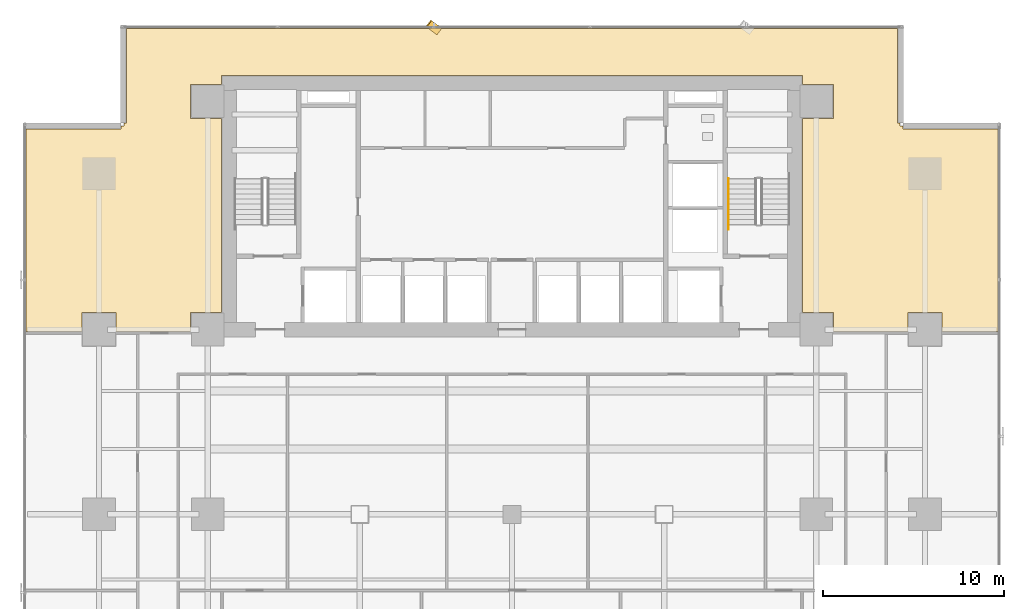
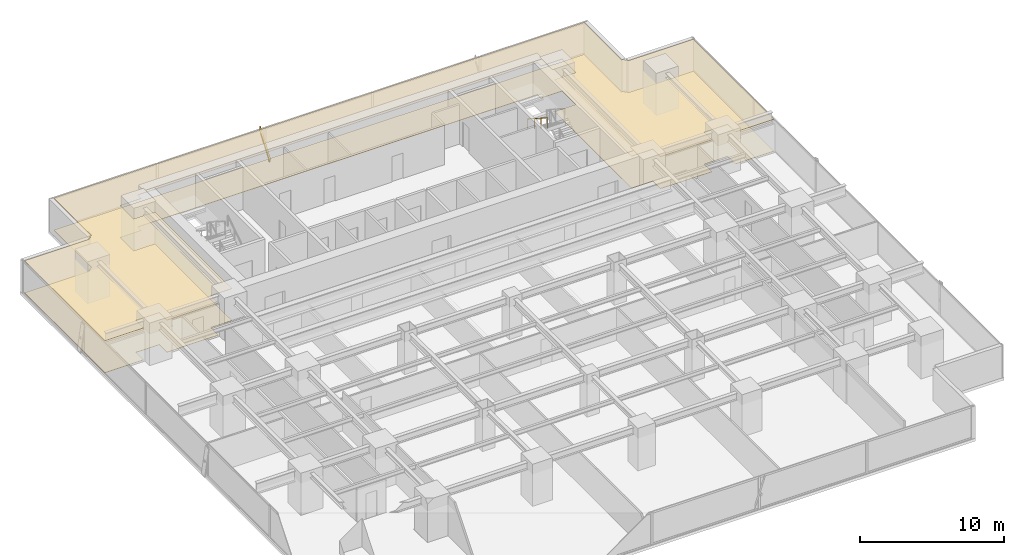
# One storey, part 31 of 33: 2 coverings, 1 railing, 1 shading device.
"""IFC4 building model written with IfcOpenShell, lengths in metres."""

import ifcopenshell
import ifcopenshell.guid

model = None  # the IFC model being written
_history = None  # IfcOwnerHistory: only IFC2X3 demands one
_inside = {}  # id of a spatial element -> (the spatial element, [elements in it])
_under = {}  # id of a project, library or spatial element -> (it, [spatial elements below it])
_declared = {}  # id of a project -> (the project, [libraries it declares])
_typed = {}  # id of a type object -> (the type object, [elements of that type])
_made_of = {}  # id of a material, layer set ... -> (it, [elements and type objects made of it])


def new_model(schema):
    """Start an empty IFC model of exactly this schema.

    Asked for "IFC4X3", IfcOpenShell would pick the latest addendum, in which some entities
    have other attributes; the version numbers below select the first issue.
    IFC2X3 requires an IfcOwnerHistory on every rooted entity: one is made here for all.
    """
    global model, _history
    if schema == "IFC4X3":
        model = ifcopenshell.file(schema_version=(4, 3, 0, 0))
    else:
        model = ifcopenshell.file(schema=schema)
    _inside.clear()
    _under.clear()
    _declared.clear()
    _typed.clear()
    _made_of.clear()
    _history = None
    if model.schema == "IFC2X3":
        org = make("IfcOrganization", Name="unknown")
        user = make(
            "IfcPersonAndOrganization",
            ThePerson=make("IfcPerson", FamilyName="unknown"),
            TheOrganization=org,
        )
        app = make(
            "IfcApplication",
            ApplicationDeveloper=org,
            Version="unknown",
            ApplicationFullName="unknown",
            ApplicationIdentifier="unknown",
        )
        _history = make(
            "IfcOwnerHistory",
            OwningUser=user,
            OwningApplication=app,
            ChangeAction="ADDED",
            CreationDate=0,
        )
    return model


def make(cls, **values):
    """One entity of the class cls with the attributes given. An attribute that is None is left unset."""
    return model.create_entity(
        cls, **{name: value for name, value in values.items() if value is not None}
    )


def rooted(cls, **values):
    """An entity with a GlobalId (a new one), such as an element, a storey or a relation."""
    return make(cls, GlobalId=ifcopenshell.guid.new(), OwnerHistory=_history, **values)


def si_unit(unit_type, name, prefix=None):
    """IfcSIUnit, for example si_unit("LENGTHUNIT", "METRE", prefix="MILLI")."""
    return make("IfcSIUnit", UnitType=unit_type, Prefix=prefix, Name=name)


def assignment(units):
    """IfcUnitAssignment: the units of a project."""
    return None if units is None else make("IfcUnitAssignment", Units=units)


def point(xyz):
    """IfcCartesianPoint."""
    return None if xyz is None else make("IfcCartesianPoint", Coordinates=xyz)


def direction(xyz):
    """IfcDirection."""
    return None if xyz is None else make("IfcDirection", DirectionRatios=xyz)


def frame(location, z_axis=None, x_axis=None):
    """IfcAxis2Placement3D, a coordinate frame: its origin and axes. An axis left out is left unset."""
    return make(
        "IfcAxis2Placement3D",
        Location=point(location),
        Axis=direction(z_axis),
        RefDirection=direction(x_axis),
    )


def frame_2d(location, x_axis=None):
    """IfcAxis2Placement2D, a coordinate frame in the plane: its origin and x axis."""
    return make(
        "IfcAxis2Placement2D", Location=point(location), RefDirection=direction(x_axis)
    )


def origin():
    """The frame at (0, 0, 0) with its axes left unset."""
    return frame((0.0, 0.0, 0.0))


def origin_2d():
    """The frame at (0, 0) in the plane with its x axis left unset."""
    return frame_2d((0.0, 0.0))


def place(relative_to, where):
    """IfcLocalPlacement: puts the frame where relative to a parent placement (None: the world)."""
    return make(
        "IfcLocalPlacement", PlacementRelTo=relative_to, RelativePlacement=where
    )


def context(
    kind, dimensions, precision=None, world=None, true_north=None, identifier=None
):
    """IfcGeometricRepresentationContext, for example the 3D "Model" context."""
    return make(
        "IfcGeometricRepresentationContext",
        ContextIdentifier=identifier,
        ContextType=kind,
        CoordinateSpaceDimension=dimensions,
        Precision=precision,
        WorldCoordinateSystem=world,
        TrueNorth=true_north,
    )


def subcontext(parent, identifier, kind, view, scale=None):
    """IfcGeometricRepresentationSubContext, for example "Body" below "Model"."""
    return make(
        "IfcGeometricRepresentationSubContext",
        ContextIdentifier=identifier,
        ContextType=kind,
        ParentContext=parent,
        TargetScale=scale,
        TargetView=view,
    )


def project(units=None, contexts=None):
    """IfcProject with its units and contexts."""
    return rooted(
        "IfcProject",
        Name="project",
        RepresentationContexts=contexts,
        UnitsInContext=assignment(units),
    )


def spatial(cls, under=None, at=None, **own):
    """A site, building, storey or space (cls), placed at a placement, below another one or the project."""
    s = rooted(cls, ObjectPlacement=at, **own)
    if under is not None:
        _under.setdefault(under.id(), (under, []))[1].append(s)
    return s


def polyline(points):
    """IfcPolyline through the points."""
    return make("IfcPolyline", Points=[point(p) for p in points])


def profile(cls, at=None, kind="AREA", **sizes):
    """A parametric profile (cls). Its sizes go by their IFC names, for example OverallWidth=200.0."""
    return make(cls, ProfileType=kind, Position=at, **sizes)


def rectangle(**sizes):
    """IfcRectangleProfileDef."""
    return profile("IfcRectangleProfileDef", **sizes)


def outline(outer, holes=None, kind="AREA"):
    """IfcArbitraryClosedProfileDef: a profile drawn as a closed curve; with holes, ...WithVoids."""
    if holes is None:
        return make("IfcArbitraryClosedProfileDef", ProfileType=kind, OuterCurve=outer)
    return make(
        "IfcArbitraryProfileDefWithVoids",
        ProfileType=kind,
        OuterCurve=outer,
        InnerCurves=holes,
    )


def extrude(swept, where, along, depth):
    """IfcExtrudedAreaSolid: the profile swept, set in the frame where, extruded along a direction by depth."""
    return make(
        "IfcExtrudedAreaSolid",
        SweptArea=swept,
        Position=where,
        ExtrudedDirection=direction(along),
        Depth=depth,
    )


def shape(context_of_items, identifier, shape_type, items):
    """IfcShapeRepresentation: the items that make up one representation, for example the "Body"."""
    return make(
        "IfcShapeRepresentation",
        ContextOfItems=context_of_items,
        RepresentationIdentifier=identifier,
        RepresentationType=shape_type,
        Items=items,
    )


def source(mapping_origin, context_of_items, identifier, shape_type, items):
    """IfcRepresentationMap: a shape defined once, which mapped items show again and again."""
    return make(
        "IfcRepresentationMap",
        MappingOrigin=mapping_origin,
        MappedRepresentation=shape(context_of_items, identifier, shape_type, items),
    )


def transform(
    local_origin,
    x_axis=None,
    y_axis=None,
    z_axis=None,
    scale=None,
    scale2=None,
    scale3=None,
    uniform=True,
):
    """IfcCartesianTransformationOperator3D, or its non-uniform kind. x_axis, y_axis, z_axis: its Axis1, 2, 3."""
    if uniform:
        return make(
            "IfcCartesianTransformationOperator3D",
            Axis1=direction(x_axis),
            Axis2=direction(y_axis),
            LocalOrigin=point(local_origin),
            Scale=scale,
            Axis3=direction(z_axis),
        )
    return make(
        "IfcCartesianTransformationOperator3DnonUniform",
        Axis1=direction(x_axis),
        Axis2=direction(y_axis),
        LocalOrigin=point(local_origin),
        Scale=scale,
        Axis3=direction(z_axis),
        Scale2=scale2,
        Scale3=scale3,
    )


def mapped(mapping_source, mapping_target):
    """IfcMappedItem: shows the shape of a source again, moved by a transform."""
    return make(
        "IfcMappedItem", MappingSource=mapping_source, MappingTarget=mapping_target
    )


def material(Name=None, Category=None):
    """IfcMaterial."""
    return make("IfcMaterial", Name=Name, Category=Category)


def layer(
    of_material, thickness, ventilated=None, Name=None, Category=None, Priority=None
):
    """IfcMaterialLayer: one layer of a wall or slab, of a material (None: an air gap)."""
    return make(
        "IfcMaterialLayer",
        Material=of_material,
        LayerThickness=thickness,
        IsVentilated=ventilated,
        Name=Name,
        Category=Category,
        Priority=Priority,
    )


def layer_set(layers, Name=None):
    """IfcMaterialLayerSet."""
    return make("IfcMaterialLayerSet", MaterialLayers=layers, LayerSetName=Name)


def material_profile(
    of_material, cross_section, Name=None, Category=None, Priority=None
):
    """IfcMaterialProfile: a cross section and its material."""
    return make(
        "IfcMaterialProfile",
        Name=Name,
        Material=of_material,
        Profile=cross_section,
        Priority=Priority,
        Category=Category,
    )


def profile_set(profiles, Name=None, composite=None):
    """IfcMaterialProfileSet."""
    return make(
        "IfcMaterialProfileSet",
        Name=Name,
        MaterialProfiles=profiles,
        CompositeProfile=composite,
    )


def made_of(thing, what):
    """Note that an element or type object is made of a material, layer set ...; save() writes the relation."""
    if what is not None:
        _made_of.setdefault(what.id(), (what, []))[1].append(thing)
    return thing


def type_object(cls, material=None, **own):
    """A type object (cls), such as IfcWallType, which elements share."""
    return made_of(rooted(cls, **own), material)


def element(
    cls,
    number,
    at=None,
    inside=None,
    cuts=None,
    type_object=None,
    material=None,
    context=None,
    identifier="Body",
    shape_type=None,
    held_by="IfcProductDefinitionShape",
    body=None,
    shapes=None,
    **own,
):
    """One element of the class cls, such as IfcWall. Its Tag is "e" and its number.

    at: its placement. inside: the storey or other place that contains it. cuts: it is an
    opening in that element (IfcRelVoidsElement). A single representation is given by context,
    identifier, shape_type and body (its items); several are given by shapes. held_by: the class
    of the entity that holds the representations. save() writes the other relations.
    """
    e = rooted(cls, Tag="e%d" % number, ObjectPlacement=at, **own)
    if body is not None:
        shapes = [shape(context, identifier, shape_type, body)]
    if shapes is not None:
        e.Representation = make(held_by, Representations=shapes)
    if inside is not None:
        _inside.setdefault(inside.id(), (inside, []))[1].append(e)
    if cuts is not None:
        rooted(
            "IfcRelVoidsElement", RelatingBuildingElement=cuts, RelatedOpeningElement=e
        )
    if type_object is not None:
        _typed.setdefault(type_object.id(), (type_object, []))[1].append(e)
    return made_of(e, material)


def aggregate(whole, parts):
    """IfcRelAggregates: a whole, such as a stair, and the parts it consists of."""
    return rooted("IfcRelAggregates", RelatingObject=whole, RelatedObjects=parts)


def save(model, path):
    """Write the relations noted so far, then the file.

    IfcRelAggregates (storeys below a building ...), IfcRelContainedInSpatialStructure (elements
    in a storey), IfcRelDefinesByType, IfcRelAssociatesMaterial and IfcRelDeclares: one each for
    every whole, place, type object, material and project.
    """
    for whole, parts in _under.values():
        aggregate(whole, parts)
    for where, things in _inside.values():
        rooted(
            "IfcRelContainedInSpatialStructure",
            RelatedElements=things,
            RelatingStructure=where,
        )
    for kind, things in _typed.values():
        rooted("IfcRelDefinesByType", RelatedObjects=things, RelatingType=kind)
    for what, things in _made_of.values():
        rooted("IfcRelAssociatesMaterial", RelatedObjects=things, RelatingMaterial=what)
    for by, libraries in _declared.values():
        rooted("IfcRelDeclares", RelatingContext=by, RelatedDefinitions=libraries)
    model.write(path)


model = new_model("IFC4")

# Units and contexts
model_context = context("Model", 3, precision=1e-05, world=origin(), true_north=direction((0.0, 1.0)))
body_context = subcontext(model_context, "Body", "Model", "MODEL_VIEW")
ifc_project = project(units=[si_unit("LENGTHUNIT", "METRE"), si_unit("AREAUNIT", "SQUARE_METRE"), si_unit("VOLUMEUNIT", "CUBIC_METRE"), si_unit("PLANEANGLEUNIT", "RADIAN"), si_unit("MASSUNIT", "GRAM", prefix="KILO")], contexts=[model_context])

# Site, building, storey
site_placement = place(None, origin())
site = spatial("IfcSite", under=ifc_project, at=site_placement, CompositionType="ELEMENT")
building_placement = place(site_placement, origin())
building = spatial("IfcBuilding", under=site, at=building_placement, Name="Sumidabori Civic Tower", CompositionType="ELEMENT")
storey_placement = place(building_placement, frame((0.0, 0.0, 30.800048828125)))
storey = spatial("IfcBuildingStorey", under=building, at=storey_placement, Name="L07", CompositionType="ELEMENT", Elevation=30.800048828125)

# Coverings
ifc_material_1 = material(Name="Acoustic Mineral Gypsum Ceiling Tile")
ifc_layer_1 = layer(ifc_material_1, 0.034912109375, Name="Acoustic Mineral Gypsum Ceiling Tile")
ifc_layer_set_1 = layer_set([ifc_layer_1], Name="Acoustic Mineral Gypsum Ceiling Tile")
covering_type_1 = type_object("IfcCoveringType", Name="CV-CEIL-AC1", PredefinedType="CEILING", material=ifc_layer_set_1)
covering_1_placement = place(storey_placement, frame((0.0, 0.0, 2.7099609375)))
element("IfcCovering", 1, at=covering_1_placement, inside=storey, type_object=covering_type_1, Name="Room Acoustic Ceiling L07-01", PredefinedType="CEILING", context=body_context, shape_type="SweptSolid", body=[
    extrude(outline(polyline([(-21.860107421875, 11.139892578125), (-23.739990234375, 11.139892578125), (-23.739990234375, 10.080078125), (-26.830078125, 10.080078125), (-26.830078125, 21.27197265625), (-21.592041015625, 21.27197265625), (-21.592041015625, 21.429931640625), (-21.429931640625, 21.429931640625), (-21.429931640625, 21.592041015625), (-21.27197265625, 21.592041015625), (-21.27197265625, 26.830078125), (21.27197265625, 26.830078125), (21.27197265625, 21.592041015625), (21.429931640625, 21.592041015625), (21.429931640625, 21.429931640625), (21.592041015625, 21.429931640625), (21.592041015625, 21.27197265625), (26.830078125, 21.27197265625), (26.830078125, 10.080078125), (23.739990234375, 10.080078125), (23.739990234375, 11.139892578125), (21.860107421875, 11.139892578125), (21.860107421875, 10.080078125), (20.739990234375, 10.080078125), (20.739990234375, 10.090087890625), (17.739990234375, 10.090087890625), (17.739990234375, 11.139892578125), (16.028076171875, 11.139892578125), (16.028076171875, 21.860107421875), (17.739990234375, 21.860107421875), (17.739990234375, 23.739990234375), (16.028076171875, 23.739990234375), (16.028076171875, 24.22802734375), (-16.028076171875, 24.22802734375), (-16.028076171875, 23.739990234375), (-17.739990234375, 23.739990234375), (-17.739990234375, 21.860107421875), (-16.028076171875, 21.860107421875), (-16.028076171875, 11.139892578125), (-17.739990234375, 11.139892578125), (-17.739990234375, 10.090087890625), (-20.739990234375, 10.090087890625), (-20.739990234375, 10.080078125), (-21.860107421875, 10.080078125), (-21.860107421875, 11.139892578125)])), origin(), (0.0, 0.0, 1.0), 0.034912109375),
])
ifc_material_2 = material(Name="Honed Terrazzo Tile Flooring")
ifc_layer_2 = layer(ifc_material_2, 0.030029296875, Name="Honed Terrazzo Tile Flooring")
ifc_layer_set_2 = layer_set([ifc_layer_2], Name="Honed Terrazzo Tile Flooring")
covering_type_2 = type_object("IfcCoveringType", Name="CV-FLR-TER", PredefinedType="FLOORING", material=ifc_layer_set_2)
covering_2_placement = place(storey_placement, origin())
element("IfcCovering", 2, at=covering_2_placement, inside=storey, type_object=covering_type_2, Name="Room Terrazzo Floor L07-01", PredefinedType="FLOORING", context=body_context, shape_type="SweptSolid", body=[
    extrude(outline(polyline([(-21.860107421875, 11.139892578125), (-23.739990234375, 11.139892578125), (-23.739990234375, 10.080078125), (-26.830078125, 10.080078125), (-26.830078125, 21.27197265625), (-21.592041015625, 21.27197265625), (-21.592041015625, 21.429931640625), (-21.429931640625, 21.429931640625), (-21.429931640625, 21.592041015625), (-21.27197265625, 21.592041015625), (-21.27197265625, 26.830078125), (21.27197265625, 26.830078125), (21.27197265625, 21.592041015625), (21.429931640625, 21.592041015625), (21.429931640625, 21.429931640625), (21.592041015625, 21.429931640625), (21.592041015625, 21.27197265625), (26.830078125, 21.27197265625), (26.830078125, 10.080078125), (23.739990234375, 10.080078125), (23.739990234375, 11.139892578125), (21.860107421875, 11.139892578125), (21.860107421875, 10.080078125), (20.739990234375, 10.080078125), (20.739990234375, 10.090087890625), (17.739990234375, 10.090087890625), (17.739990234375, 11.139892578125), (16.028076171875, 11.139892578125), (16.028076171875, 21.860107421875), (17.739990234375, 21.860107421875), (17.739990234375, 23.739990234375), (16.028076171875, 23.739990234375), (16.028076171875, 24.22802734375), (-16.028076171875, 24.22802734375), (-16.028076171875, 23.739990234375), (-17.739990234375, 23.739990234375), (-17.739990234375, 21.860107421875), (-16.028076171875, 21.860107421875), (-16.028076171875, 11.139892578125), (-17.739990234375, 11.139892578125), (-17.739990234375, 10.090087890625), (-20.739990234375, 10.090087890625), (-20.739990234375, 10.080078125), (-21.860107421875, 10.080078125), (-21.860107421875, 11.139892578125)])), origin(), (0.0, 0.0, 1.0), 0.030029296875),
])

# Railing
ifc_material_3 = material(Name="Stainless Steel Hairline Finish", Category="steel")
railing_type = type_object("IfcRailingType", Name="RL-HANDRAIL", PredefinedType="HANDRAIL", material=ifc_material_3)
railing_placement = place(storey_placement, frame((11.949951171875, 18.52001953125, 1.97998046875)))
element("IfcRailing", 3, at=railing_placement, inside=storey, type_object=railing_type, Name="L07 ST-2 stair handrail 2", PredefinedType="HANDRAIL", context=body_context, shape_type="SweptSolid", body=[
    extrude(rectangle(XDim=0.048095703125, YDim=0.048095703125, at=origin_2d()), frame((0.0, 0.0, 0.8759765625), z_axis=(0.0, -0.840675598268, 0.541539046124), x_axis=(1.0, 0.0, 0.0)), (0.0, 0.0, 1.0), 3.330810546875),
    extrude(rectangle(XDim=0.0419921875, YDim=0.0419921875, at=origin_2d()), origin(), (0.0, 0.0, 1.0), 0.851806640625),
    extrude(rectangle(XDim=0.0419921875, YDim=0.0419921875, at=origin_2d()), frame((0.0, -0.933349609375, 0.601318359375)), (0.0, 0.0, 1.0), 0.851806640625),
    extrude(rectangle(XDim=0.0419921875, YDim=0.0419921875, at=origin_2d()), frame((0.0, -1.86669921875, 1.202392578125)), (0.0, 0.0, 1.0), 0.851806640625),
    extrude(rectangle(XDim=0.0419921875, YDim=0.0419921875, at=origin_2d()), frame((0.0, -2.800048828125, 1.8037109375)), (0.0, 0.0, 1.0), 0.851806640625),
])

# Shading device
ifc_material_4 = material(Name="Anodised Bronze Aluminium AW-6063-T6", Category="aluminium")
ifc_material_profile = material_profile(ifc_material_4, rectangle(XDim=0.06005859375, YDim=0.449951171875, at=origin_2d()), Name="BRONZE FIN 450x60")
ifc_profile_set = profile_set([ifc_material_profile], Name="Anodised Bronze Aluminium AW-6063-T6")
shading_device_type = type_object("IfcShadingDeviceType", Name="SH-FIN-450", PredefinedType="USERDEFINED", material=ifc_profile_set)
shared_shape = source(origin(), body_context, "Body", "SweptSolid", [
    extrude(rectangle(XDim=0.06005859375, YDim=0.449951171875, at=origin_2d()), origin(), (0.0, 0.0, 1.0), 2.769775390625),
])
shading_device_placement = place(storey_placement, frame((-4.033935546875, 26.669921875, 0.02001953125), z_axis=(-0.202195931323, 0.151691019096, 0.967526041035), x_axis=(0.773939855131, -0.580623579198, 0.252771358975)))
element("IfcShadingDevice", 4, at=shading_device_placement, inside=storey, type_object=shading_device_type, Name="Bronze Anodised Diagonal Fin L07-03", ObjectType="FIN", PredefinedType="USERDEFINED", context=body_context, shape_type="MappedRepresentation", body=[
    mapped(shared_shape, transform((0.0, 0.0, 0.0), x_axis=(1.0, 0.0, 0.0), y_axis=(0.0, 1.0, 0.0), z_axis=(0.0, 0.0, 1.0), scale=1.0)),
])

save(model, "model.ifc")
